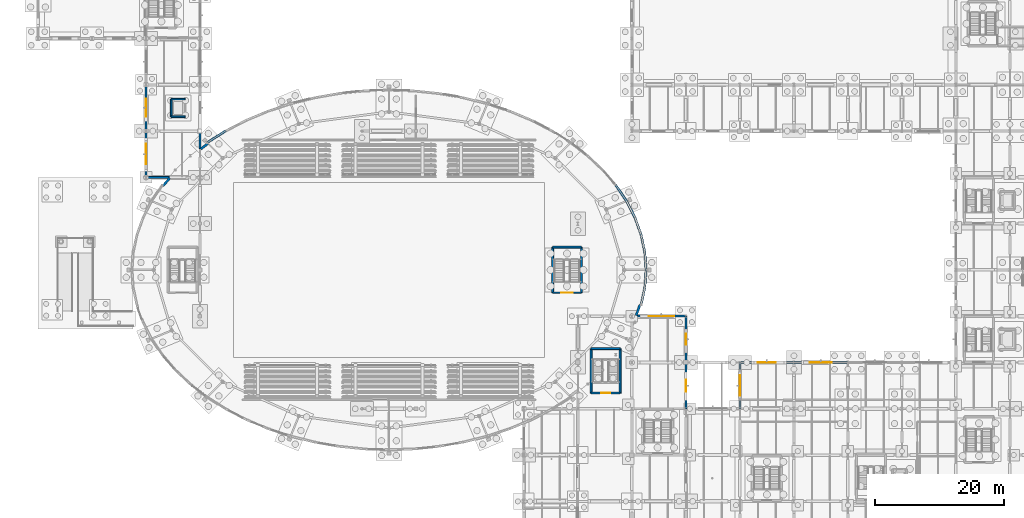
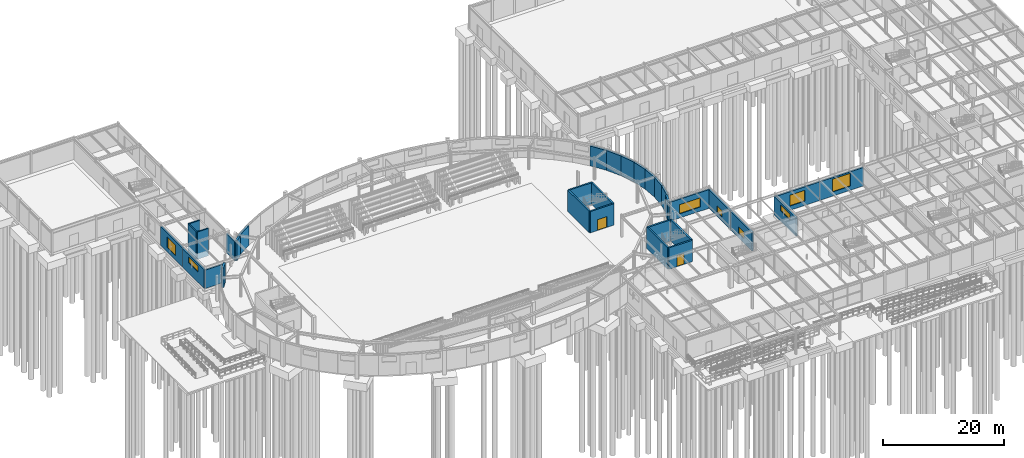
# One storey, part 59 of 93: 32 walls, 8 windows, 2 doors, 10 openings.
"""IFC4 building model written with IfcOpenShell, lengths in metres."""

from ifc_helpers import new_model, si_unit, derived_unit, direction, frame, frame_2d, origin, place, context, subcontext, project, spatial, rectangle, extrude, material, layer, layer_set, type_object, element, fill, save


model = new_model("IFC4")

# Units and contexts
model_context = context("Model", 3, precision=1e-05, world=origin(), true_north=direction((0.0, 1.0)))
body_context = subcontext(model_context, "Body", "Model", "MODEL_VIEW")
ifc_project = project(units=[si_unit("LENGTHUNIT", "METRE"), si_unit("AREAUNIT", "SQUARE_METRE"), si_unit("VOLUMEUNIT", "CUBIC_METRE"), si_unit("PLANEANGLEUNIT", "RADIAN"), si_unit("MASSUNIT", "GRAM", prefix="KILO"), derived_unit("THERMALTRANSMITTANCEUNIT", [(si_unit("MASSUNIT", "GRAM", prefix="KILO"), 1), (si_unit("TIMEUNIT", "SECOND"), -3), (si_unit("THERMODYNAMICTEMPERATUREUNIT", "KELVIN"), -1)])], contexts=[model_context])

# Site, building, storey
site_placement = place(None, origin())
site = spatial("IfcSite", under=ifc_project, at=site_placement, CompositionType="ELEMENT")
building_placement = place(site_placement, origin())
building = spatial("IfcBuilding", under=site, at=building_placement, Name="Kharveza Railside Sports Centre", CompositionType="ELEMENT")
storey_placement = place(building_placement, origin())
storey = spatial("IfcBuildingStorey", under=building, at=storey_placement, Name="L00", CompositionType="ELEMENT", Elevation=0.0)

# Walls
ifc_material_1 = material(Name="Concrete C35/45", Category="concrete")
ifc_layer_1 = layer(ifc_material_1, 0.25, Name="Concrete C35/45")
ifc_layer_set_1 = layer_set([ifc_layer_1], Name="Concrete C35/45")
wall_type_1 = type_object("IfcWallType", Name="WL-CR250", PredefinedType="SHEAR", material=ifc_layer_set_1)
for number, where, z_axis, x_axis, name in (
    (1, (20.72509765625, 74.22509765625, -1.199951171875), (0.0, 0.0, 1.0), (1.0, 0.0, 0.0), "WL-LFSH-LF4-L00-S"),
    (2, (22.875, 76.97509765625, -1.199951171875), (0.0, 0.0, 1.0), (-1.0, 0.0, 0.0), "WL-LFSH-LF4-L00-N"),
):
    element("IfcWall", number, at=place(storey_placement, frame(where, z_axis=z_axis, x_axis=x_axis)), inside=storey, type_object=wall_type_1, Name=name, PredefinedType="SHEAR", context=body_context, shape_type="SweptSolid", body=[
        extrude(rectangle(XDim=2.14990234375, YDim=0.25, at=frame_2d((1.074951171875, 0.0))), origin(), (0.0, 0.0, 1.0), 5.52001953125),
    ])
wall_1_placement = place(storey_placement, frame((20.72509765625, 76.97509765625, -1.199951171875), z_axis=(0.0, 0.0, 1.0), x_axis=(0.0, -1.0, 0.0)))
element("IfcWall", 3, at=wall_1_placement, inside=storey, type_object=wall_type_1, Name="WL-LFSH-LF4-L00-W", PredefinedType="SHEAR", context=body_context, shape_type="SweptSolid", body=[
    extrude(rectangle(XDim=2.75, YDim=0.25, at=frame_2d((1.375, 0.0))), origin(), (0.0, 0.0, 1.0), 5.52001953125),
])

# Wall, opening, door
ifc_layer_2 = layer(ifc_material_1, 0.300048828125, Name="Concrete C35/45")
ifc_layer_set_2 = layer_set([ifc_layer_2], Name="Concrete C35/45")
wall_type_2 = type_object("IfcWallType", Name="WL-CR300", PredefinedType="SHEAR", material=ifc_layer_set_2)
wall_2_placement = place(storey_placement, frame((80.050048828125, 46.85009765625, 0.0), z_axis=(0.0, 0.0, 1.0), x_axis=(1.0, 0.0, 0.0)))
wall_2 = element("IfcWall", 4, at=wall_2_placement, inside=storey, type_object=wall_type_2, Name="WL-CORE-ST8-L00-S", PredefinedType="SHEAR", context=body_context, shape_type="SweptSolid", body=[
    extrude(rectangle(XDim=4.5, YDim=0.300048828125, at=frame_2d((2.25, 0.0))), origin(), (0.0, 0.0, 1.0), 4.320068359375),
])
opening_1_placement = place(wall_2_placement, frame((1.35009765625, 0.0, 0.0)))
opening_1 = element("IfcOpeningElement", 5, at=opening_1_placement, cuts=wall_2, Name="Opening D08", PredefinedType="OPENING", context=body_context, shape_type="SweptSolid", body=[
    extrude(rectangle(XDim=1.800048828125, YDim=2.199951171875, at=frame_2d((0.89990234375, 1.10009765625))), frame((0.0, 0.1748046875, 0.0), z_axis=(0.0, -1.0, 0.0), x_axis=(1.0, 0.0, 0.0)), (0.0, 0.0, 1.0), 0.349853515625),
])
ifc_material_2 = material(Name="Fire-rated hardwood door leaf", Category="wood")
door_type_1 = type_object("IfcDoorType", Name="DR-ST01", OperationType="NOTDEFINED", PredefinedType="DOOR", material=ifc_material_2)
door_1_placement = place(opening_1_placement, frame((1.800048828125, 0.0, 0.0), z_axis=(0.0, 0.0, 1.0), x_axis=(-1.0, 0.0, 0.0)))
door_1 = element("IfcDoor", 6, at=door_1_placement, inside=storey, type_object=door_type_1, Name="DR-ST-ST8-L00", OperationType="DOUBLE_DOOR_SINGLE_SWING", OverallHeight=2.199951171875, OverallWidth=1.800048828125, PredefinedType="DOOR", context=body_context, shape_type="SweptSolid", body=[
    extrude(rectangle(XDim=1.800048828125, YDim=2.199951171875, at=frame_2d((0.89990234375, 1.10009765625))), frame((0.0, 0.02490234375, 0.0), z_axis=(0.0, -1.0, 0.0), x_axis=(1.0, 0.0, 0.0)), (0.0, 0.0, 1.0), 0.050048828125),
])
fill(opening_1, door_1)

# Walls
wall_3_placement = place(storey_placement, frame((84.550048828125, 46.85009765625, 0.0), z_axis=(0.0, 0.0, 1.0), x_axis=(0.0, 1.0, 0.0)))
element("IfcWall", 7, at=wall_3_placement, inside=storey, type_object=wall_type_2, Name="WL-CORE-ST8-L00-E", PredefinedType="SHEAR", context=body_context, shape_type="SweptSolid", body=[
    extrude(rectangle(XDim=7.099853515625, YDim=0.300048828125, at=frame_2d((3.5498046875, 0.0))), origin(), (0.0, 0.0, 1.0), 4.320068359375),
])
wall_4_placement = place(storey_placement, frame((84.550048828125, 53.949951171875, 0.0), z_axis=(0.0, 0.0, 1.0), x_axis=(-1.0, 0.0, 0.0)))
element("IfcWall", 8, at=wall_4_placement, inside=storey, type_object=wall_type_2, Name="WL-CORE-ST8-L00-N", PredefinedType="SHEAR", context=body_context, shape_type="SweptSolid", body=[
    extrude(rectangle(XDim=4.5, YDim=0.300048828125, at=frame_2d((2.25, 0.0))), origin(), (0.0, 0.0, 1.0), 4.320068359375),
])
wall_5_placement = place(storey_placement, frame((80.050048828125, 53.949951171875, 0.0), z_axis=(0.0, 0.0, 1.0), x_axis=(0.0, -1.0, 0.0)))
element("IfcWall", 9, at=wall_5_placement, inside=storey, type_object=wall_type_2, Name="WL-CORE-ST8-L00-W", PredefinedType="SHEAR", context=body_context, shape_type="SweptSolid", body=[
    extrude(rectangle(XDim=7.099853515625, YDim=0.300048828125, at=frame_2d((3.5498046875, 0.0))), origin(), (0.0, 0.0, 1.0), 4.320068359375),
])

# Wall, opening, door
wall_6_placement = place(storey_placement, frame((86.050048828125, 31.25, 0.0), z_axis=(0.0, 0.0, 1.0), x_axis=(1.0, 0.0, 0.0)))
wall_6 = element("IfcWall", 10, at=wall_6_placement, inside=storey, type_object=wall_type_2, Name="WL-CORE-ST9-L00-S", PredefinedType="SHEAR", context=body_context, shape_type="SweptSolid", body=[
    extrude(rectangle(XDim=4.5, YDim=0.300048828125, at=frame_2d((2.25, 0.0))), origin(), (0.0, 0.0, 1.0), 4.320068359375),
])
opening_2_placement = place(wall_6_placement, frame((1.550048828125, 0.0, 0.0)))
opening_2 = element("IfcOpeningElement", 11, at=opening_2_placement, cuts=wall_6, Name="Opening D09", PredefinedType="OPENING", context=body_context, shape_type="SweptSolid", body=[
    extrude(rectangle(XDim=1.39990234375, YDim=2.199951171875, at=frame_2d((0.699951171875, 1.10009765625))), frame((0.0, 0.1748046875, 0.0), z_axis=(0.0, -1.0, 0.0), x_axis=(1.0, 0.0, 0.0)), (0.0, 0.0, 1.0), 0.349853515625),
])
door_type_2 = type_object("IfcDoorType", Name="DR-ST02", OperationType="NOTDEFINED", PredefinedType="DOOR", material=ifc_material_2)
door_2_placement = place(opening_2_placement, frame((1.39990234375, 0.0, 0.0), z_axis=(0.0, 0.0, 1.0), x_axis=(-1.0, 0.0, 0.0)))
door_2 = element("IfcDoor", 12, at=door_2_placement, inside=storey, type_object=door_type_2, Name="DR-ST-ST9-L00", OperationType="SINGLE_SWING_RIGHT", OverallHeight=2.199951171875, OverallWidth=1.39990234375, PredefinedType="DOOR", context=body_context, shape_type="SweptSolid", body=[
    extrude(rectangle(XDim=1.39990234375, YDim=2.199951171875, at=frame_2d((0.699951171875, 1.10009765625))), frame((0.0, 0.02490234375, 0.0), z_axis=(0.0, -1.0, 0.0), x_axis=(1.0, 0.0, 0.0)), (0.0, 0.0, 1.0), 0.050048828125),
])
fill(opening_2, door_2)

# Walls
wall_7_placement = place(storey_placement, frame((90.550048828125, 31.25, 0.0), z_axis=(0.0, 0.0, 1.0), x_axis=(0.0, 1.0, 0.0)))
element("IfcWall", 13, at=wall_7_placement, inside=storey, type_object=wall_type_2, Name="WL-CORE-ST9-L00-E", PredefinedType="SHEAR", context=body_context, shape_type="SweptSolid", body=[
    extrude(rectangle(XDim=6.89990234375, YDim=0.300048828125, at=frame_2d((3.449951171875, 0.0))), origin(), (0.0, 0.0, 1.0), 4.320068359375),
])
wall_8_placement = place(storey_placement, frame((90.550048828125, 38.14990234375, 0.0), z_axis=(0.0, 0.0, 1.0), x_axis=(-1.0, 0.0, 0.0)))
element("IfcWall", 14, at=wall_8_placement, inside=storey, type_object=wall_type_2, Name="WL-CORE-ST9-L00-N", PredefinedType="SHEAR", context=body_context, shape_type="SweptSolid", body=[
    extrude(rectangle(XDim=4.5, YDim=0.300048828125, at=frame_2d((2.25, 0.0))), origin(), (0.0, 0.0, 1.0), 4.320068359375),
])
wall_9_placement = place(storey_placement, frame((86.050048828125, 38.14990234375, 0.0), z_axis=(0.0, 0.0, 1.0), x_axis=(0.0, -1.0, 0.0)))
element("IfcWall", 15, at=wall_9_placement, inside=storey, type_object=wall_type_2, Name="WL-CORE-ST9-L00-W", PredefinedType="SHEAR", context=body_context, shape_type="SweptSolid", body=[
    extrude(rectangle(XDim=6.89990234375, YDim=0.300048828125, at=frame_2d((3.449951171875, 0.0))), origin(), (0.0, 0.0, 1.0), 4.320068359375),
])
ifc_material_3 = material(Name="Precast concrete C40/50", Category="concrete")
ifc_layer_3 = layer(ifc_material_3, 0.360107421875, Name="Precast concrete C40/50")
ifc_layer_set_3 = layer_set([ifc_layer_3], Name="Precast concrete C40/50")
wall_type_3 = type_object("IfcWallType", Name="WL-DR360", PredefinedType="STANDARD", material=ifc_layer_set_3)
wall_10_placement = place(storey_placement, frame((94.60009765625, 50.39990234375, 0.0), z_axis=(0.0, 0.0, 1.0), x_axis=(-0.070011027008, 0.997546217524, 0.0)))
element("IfcWall", 16, at=wall_10_placement, inside=storey, type_object=wall_type_3, Name="WL-DRUM-L00-01", PredefinedType="STANDARD", context=body_context, shape_type="SweptSolid", body=[
    extrude(rectangle(XDim=2.75146484375, YDim=0.360107421875, at=frame_2d((1.375732421875, 0.0))), origin(), (0.0, 0.0, 1.0), 4.010009765625),
])
wall_11_placement = place(storey_placement, frame((94.407470703125, 53.14453125, 0.0), z_axis=(0.0, 0.0, 1.0), x_axis=(-0.207374254009, 0.978261682156, 0.0)))
element("IfcWall", 17, at=wall_11_placement, inside=storey, type_object=wall_type_3, Name="WL-DRUM-L00-02", PredefinedType="STANDARD", context=body_context, shape_type="SweptSolid", body=[
    extrude(rectangle(XDim=2.7783203125, YDim=0.360107421875, at=frame_2d((1.38916015625, 0.0))), origin(), (0.0, 0.0, 1.0), 4.010009765625),
])
wall_12_placement = place(storey_placement, frame((93.831298828125, 55.862548828125, 0.0), z_axis=(0.0, 0.0, 1.0), x_axis=(-0.336849879302, 0.941558367184, 0.0)))
element("IfcWall", 18, at=wall_12_placement, inside=storey, type_object=wall_type_3, Name="WL-DRUM-L00-03", PredefinedType="STANDARD", context=body_context, shape_type="SweptSolid", body=[
    extrude(rectangle(XDim=2.8310546875, YDim=0.360107421875, at=frame_2d((1.41552734375, 0.0))), origin(), (0.0, 0.0, 1.0), 4.010009765625),
])
wall_13_placement = place(storey_placement, frame((92.877685546875, 58.528076171875, 0.0), z_axis=(0.0, 0.0, 1.0), x_axis=(-0.455161394879, 0.890408953578, 0.0)))
element("IfcWall", 19, at=wall_13_placement, inside=storey, type_object=wall_type_3, Name="WL-DRUM-L00-04", PredefinedType="STANDARD", context=body_context, shape_type="SweptSolid", body=[
    extrude(rectangle(XDim=2.905517578125, YDim=0.360107421875, at=frame_2d((1.45263671875, 0.0))), origin(), (0.0, 0.0, 1.0), 4.010009765625),
])
wall_14_placement = place(storey_placement, frame((91.55517578125, 61.115234375, 0.0), z_axis=(0.0, 0.0, 1.0), x_axis=(-0.559839276391, 0.828601221705, 0.0)))
element("IfcWall", 20, at=wall_14_placement, inside=storey, type_object=wall_type_3, Name="WL-DRUM-L00-05", PredefinedType="STANDARD", context=body_context, shape_type="SweptSolid", body=[
    extrude(rectangle(XDim=2.997802734375, YDim=0.360107421875, at=frame_2d((1.4990234375, 0.0))), origin(), (0.0, 0.0, 1.0), 4.010009765625),
])
wall_15_placement = place(storey_placement, frame((29.224365234375, 72.044189453125, 0.0), z_axis=(0.0, 0.0, 1.0), x_axis=(-0.844419437711, -0.535682567586, 0.0)))
element("IfcWall", 21, at=wall_15_placement, inside=storey, type_object=wall_type_3, Name="WL-DRUM-L00-24", PredefinedType="STANDARD", context=body_context, shape_type="SweptSolid", body=[
    extrude(rectangle(XDim=3.444580078125, YDim=0.360107421875, at=frame_2d((1.72216796875, 0.0))), origin(), (0.0, 0.0, 1.0), 4.010009765625),
])
wall_16_placement = place(storey_placement, frame((26.42578125, 70.056396484375, 0.0), z_axis=(0.0, 0.0, 1.0), x_axis=(-0.791483020517, -0.611191155231, 0.0)))
element("IfcWall", 22, at=wall_16_placement, inside=storey, type_object=wall_type_3, Name="WL-DRUM-JCT-L00-25-1", PredefinedType="STANDARD", context=body_context, shape_type="SweptSolid", body=[
    extrude(rectangle(XDim=1.40966796875, YDim=0.360107421875, at=frame_2d((0.704833984375, 0.0))), origin(), (0.0, 0.0, 1.0), 4.010009765625),
])
wall_17_placement = place(storey_placement, frame((20.494140625, 64.68994140625, 0.0), z_axis=(0.0, 0.0, 1.0), x_axis=(-0.650336097108, -0.759646602571, 0.0)))
element("IfcWall", 23, at=wall_17_placement, inside=storey, type_object=wall_type_3, Name="WL-DRUM-JCT-L00-27-1", PredefinedType="STANDARD", context=body_context, shape_type="SweptSolid", body=[
    extrude(rectangle(XDim=1.59033203125, YDim=0.360107421875, at=frame_2d((0.795166015625, 0.0))), origin(), (0.0, 0.0, 1.0), 4.010009765625),
])
wall_18_placement = place(storey_placement, frame((93.057861328125, 43.31005859375, 0.0), z_axis=(0.0, 0.0, 1.0), x_axis=(0.336905697371, 0.941538395966, 0.0)))
element("IfcWall", 24, at=wall_18_placement, inside=storey, type_object=wall_type_3, Name="WL-DRUM-JCT-L00-62-1", PredefinedType="STANDARD", context=body_context, shape_type="SweptSolid", body=[
    extrude(rectangle(XDim=1.792724609375, YDim=0.360107421875, at=frame_2d((0.896484375, 0.0))), origin(), (0.0, 0.0, 1.0), 4.010009765625),
])
wall_19_placement = place(storey_placement, frame((93.831298828125, 44.9375, 0.0), z_axis=(0.0, 0.0, 1.0), x_axis=(0.207374254009, 0.978261682156, 0.0)))
element("IfcWall", 25, at=wall_19_placement, inside=storey, type_object=wall_type_3, Name="WL-DRUM-L00-63", PredefinedType="STANDARD", context=body_context, shape_type="SweptSolid", body=[
    extrude(rectangle(XDim=2.7783203125, YDim=0.360107421875, at=frame_2d((1.38916015625, 0.0))), origin(), (0.0, 0.0, 1.0), 4.010009765625),
])
wall_20_placement = place(storey_placement, frame((94.407470703125, 47.655517578125, 0.0), z_axis=(0.0, 0.0, 1.0), x_axis=(0.070017224661, 0.997545782534, 0.0)))
element("IfcWall", 26, at=wall_20_placement, inside=storey, type_object=wall_type_3, Name="WL-DRUM-L00-64", PredefinedType="STANDARD", context=body_context, shape_type="SweptSolid", body=[
    extrude(rectangle(XDim=2.751220703125, YDim=0.360107421875, at=frame_2d((1.37548828125, 0.0))), origin(), (0.0, 0.0, 1.0), 4.010009765625),
])

# Wall, opening, window
ifc_material_4 = material(Name="Acoustic mineral-wool metal cladding panel")
ifc_layer_4 = layer(ifc_material_4, 0.2900390625, Name="Acoustic mineral-wool metal cladding panel")
ifc_layer_set_4 = layer_set([ifc_layer_4], Name="Acoustic mineral-wool metal cladding panel")
wall_type_4 = type_object("IfcWallType", Name="WL-EX290", PredefinedType="STANDARD", material=ifc_layer_set_4)
wall_21_placement = place(storey_placement, frame((16.800048828125, 79.199951171875, 0.0), z_axis=(0.0, 0.0, 1.0), x_axis=(0.0, -1.0, 0.0)))
wall_21 = element("IfcWall", 27, at=wall_21_placement, inside=storey, type_object=wall_type_4, Name="WL-EXT-L00-065", PredefinedType="STANDARD", context=body_context, shape_type="SweptSolid", body=[
    extrude(rectangle(XDim=7.199951171875, YDim=0.2900390625, at=frame_2d((3.60009765625, 0.0))), origin(), (0.0, 0.0, 1.0), 3.804931640625),
])
opening_3_placement = place(wall_21_placement, frame((2.199951171875, 0.0, 0.85009765625)))
opening_3 = element("IfcOpeningElement", 28, at=opening_3_placement, cuts=wall_21, Name="Opening WN12", PredefinedType="OPENING", context=body_context, shape_type="SweptSolid", body=[
    extrude(rectangle(XDim=2.800048828125, YDim=2.199951171875, at=frame_2d((1.39990234375, 1.10009765625))), frame((0.0, 0.169921875, 0.0), z_axis=(0.0, -1.0, 0.0), x_axis=(1.0, 0.0, 0.0)), (0.0, 0.0, 1.0), 0.33984375),
])
ifc_material_5 = material(Name="Low-E solar-control laminated glass", Category="glass")
window_type_1 = type_object("IfcWindowType", Name="WN-F12", PartitioningType="SINGLE_PANEL", PredefinedType="WINDOW", material=ifc_material_5)
window_1_placement = place(opening_3_placement, origin())
window_1 = element("IfcWindow", 29, at=window_1_placement, inside=storey, type_object=window_type_1, Name="WN-EXT-L00-018", OverallHeight=2.199951171875, OverallWidth=2.800048828125, PartitioningType="SINGLE_PANEL", PredefinedType="WINDOW", context=body_context, shape_type="SweptSolid", body=[
    extrude(rectangle(XDim=2.800048828125, YDim=2.199951171875, at=frame_2d((1.39990234375, 1.10009765625))), frame((0.0, 0.030029296875, 0.0), z_axis=(0.0, -1.0, 0.0), x_axis=(1.0, 0.0, 0.0)), (0.0, 0.0, 1.0), 0.06005859375),
])
fill(opening_3, window_1)

wall_22_placement = place(storey_placement, frame((16.800048828125, 72.0, 0.0), z_axis=(0.0, 0.0, 1.0), x_axis=(0.0, -1.0, 0.0)))
wall_22 = element("IfcWall", 30, at=wall_22_placement, inside=storey, type_object=wall_type_4, Name="WL-EXT-L00-066", PredefinedType="STANDARD", context=body_context, shape_type="SweptSolid", body=[
    extrude(rectangle(XDim=7.199951171875, YDim=0.2900390625, at=frame_2d((3.60009765625, 0.0))), origin(), (0.0, 0.0, 1.0), 3.7548828125),
])
opening_4_placement = place(wall_22_placement, frame((2.0, 0.0, 2.10009765625)))
opening_4 = element("IfcOpeningElement", 31, at=opening_4_placement, cuts=wall_22, Name="Opening WN08", PredefinedType="OPENING", context=body_context, shape_type="SweptSolid", body=[
    extrude(rectangle(XDim=3.199951171875, YDim=1.199951171875, at=frame_2d((1.60009765625, 0.60009765625))), frame((0.0, 0.169921875, 0.0), z_axis=(0.0, -1.0, 0.0), x_axis=(1.0, 0.0, 0.0)), (0.0, 0.0, 1.0), 0.33984375),
])
window_type_2 = type_object("IfcWindowType", Name="WN-F08", PartitioningType="SINGLE_PANEL", PredefinedType="WINDOW", material=ifc_material_5)
window_2_placement = place(opening_4_placement, origin())
window_2 = element("IfcWindow", 32, at=window_2_placement, inside=storey, type_object=window_type_2, Name="WN-EXT-L00-019", OverallHeight=1.199951171875, OverallWidth=3.199951171875, PartitioningType="SINGLE_PANEL", PredefinedType="WINDOW", context=body_context, shape_type="SweptSolid", body=[
    extrude(rectangle(XDim=3.199951171875, YDim=1.199951171875, at=frame_2d((1.60009765625, 0.60009765625))), frame((0.0, 0.030029296875, 0.0), z_axis=(0.0, -1.0, 0.0), x_axis=(1.0, 0.0, 0.0)), (0.0, 0.0, 1.0), 0.06005859375),
])
fill(opening_4, window_2)

# Walls
wall_23_placement = place(storey_placement, frame((16.800048828125, 64.800048828125, 0.0), z_axis=(0.0, 0.0, 1.0), x_axis=(1.0, 0.0, 0.0)))
element("IfcWall", 33, at=wall_23_placement, inside=storey, type_object=wall_type_4, Name="WL-EXT-L00-067", PredefinedType="STANDARD", context=body_context, shape_type="SweptSolid", body=[
    extrude(rectangle(XDim=3.6162109375, YDim=0.2900390625, at=frame_2d((1.80810546875, 0.0))), origin(), (0.0, 0.0, 1.0), 3.7548828125),
])
wall_24_placement = place(storey_placement, frame((25.199951171875, 69.275146484375, 0.0), z_axis=(0.0, 0.0, 1.0), x_axis=(0.0, 1.0, 0.0)))
element("IfcWall", 34, at=wall_24_placement, inside=storey, type_object=wall_type_4, Name="WL-EXT-L00-068", PredefinedType="STANDARD", context=body_context, shape_type="SweptSolid", body=[
    extrude(rectangle(XDim=2.724853515625, YDim=0.2900390625, at=frame_2d((1.3623046875, 0.0))), origin(), (0.0, 0.0, 1.0), 3.804931640625),
])

# Wall, opening, window
ifc_layer_5 = layer(ifc_material_3, 0.320068359375, Name="Precast concrete C40/50")
ifc_layer_set_5 = layer_set([ifc_layer_5], Name="Precast concrete C40/50")
wall_type_5 = type_object("IfcWallType", Name="WL-EX320", PredefinedType="STANDARD", material=ifc_layer_set_5)
wall_25_placement = place(storey_placement, frame((126.0, 36.0, 0.0), z_axis=(0.0, 0.0, 1.0), x_axis=(-1.0, 0.0, 0.0)))
wall_25 = element("IfcWall", 35, at=wall_25_placement, inside=storey, type_object=wall_type_5, Name="WL-EXT-L00-056", PredefinedType="STANDARD", context=body_context, shape_type="SweptSolid", body=[
    extrude(rectangle(XDim=8.39990234375, YDim=0.320068359375, at=frame_2d((4.199951171875, 0.0))), origin(), (0.0, 0.0, 1.0), 3.7548828125),
])
opening_5_placement = place(wall_25_placement, frame((2.5, 0.0, 0.85009765625)))
opening_5 = element("IfcOpeningElement", 36, at=opening_5_placement, cuts=wall_25, Name="Opening WN13", PredefinedType="OPENING", context=body_context, shape_type="SweptSolid", body=[
    extrude(rectangle(XDim=3.39990234375, YDim=2.60009765625, at=frame_2d((1.699951171875, 1.300048828125))), frame((0.0, 0.18505859375, 0.0), z_axis=(0.0, -1.0, 0.0), x_axis=(1.0, 0.0, 0.0)), (0.0, 0.0, 1.0), 0.369873046875),
])
window_type_3 = type_object("IfcWindowType", Name="WN-F13", PartitioningType="SINGLE_PANEL", PredefinedType="WINDOW", material=ifc_material_5)
window_3_placement = place(opening_5_placement, origin())
window_3 = element("IfcWindow", 37, at=window_3_placement, inside=storey, type_object=window_type_3, Name="WN-EXT-L00-010", OverallHeight=2.60009765625, OverallWidth=3.39990234375, PartitioningType="SINGLE_PANEL", PredefinedType="WINDOW", context=body_context, shape_type="SweptSolid", body=[
    extrude(rectangle(XDim=3.39990234375, YDim=2.60009765625, at=frame_2d((1.699951171875, 1.300048828125))), frame((0.0, 0.030029296875, 0.0), z_axis=(0.0, -1.0, 0.0), x_axis=(1.0, 0.0, 0.0)), (0.0, 0.0, 1.0), 0.06005859375),
])
fill(opening_5, window_3)

wall_26_placement = place(storey_placement, frame((117.60009765625, 36.0, 0.0), z_axis=(0.0, 0.0, 1.0), x_axis=(-1.0, 0.0, 0.0)))
wall_26 = element("IfcWall", 38, at=wall_26_placement, inside=storey, type_object=wall_type_5, Name="WL-EXT-L00-057", PredefinedType="STANDARD", context=body_context, shape_type="SweptSolid", body=[
    extrude(rectangle(XDim=8.400146484375, YDim=0.320068359375, at=frame_2d((4.2001953125, 0.0))), origin(), (0.0, 0.0, 1.0), 3.7548828125),
])
opening_6_placement = place(wall_26_placement, frame((2.800048828125, 0.0, 0.85009765625)))
opening_6 = element("IfcOpeningElement", 39, at=opening_6_placement, cuts=wall_26, Name="Opening WN12", PredefinedType="OPENING", context=body_context, shape_type="SweptSolid", body=[
    extrude(rectangle(XDim=2.800048828125, YDim=2.199951171875, at=frame_2d((1.39990234375, 1.10009765625))), frame((0.0, 0.18505859375, 0.0), z_axis=(0.0, -1.0, 0.0), x_axis=(1.0, 0.0, 0.0)), (0.0, 0.0, 1.0), 0.369873046875),
])
window_4_placement = place(opening_6_placement, origin())
window_4 = element("IfcWindow", 40, at=window_4_placement, inside=storey, type_object=window_type_1, Name="WN-EXT-L00-011", OverallHeight=2.199951171875, OverallWidth=2.800048828125, PartitioningType="SINGLE_PANEL", PredefinedType="WINDOW", context=body_context, shape_type="SweptSolid", body=[
    extrude(rectangle(XDim=2.800048828125, YDim=2.199951171875, at=frame_2d((1.39990234375, 1.10009765625))), frame((0.0, 0.030029296875, 0.0), z_axis=(0.0, -1.0, 0.0), x_axis=(1.0, 0.0, 0.0)), (0.0, 0.0, 1.0), 0.06005859375),
])
fill(opening_6, window_4)

wall_27_placement = place(storey_placement, frame((109.199951171875, 36.0, 0.0), z_axis=(0.0, 0.0, 1.0), x_axis=(0.0, -1.0, 0.0)))
wall_27 = element("IfcWall", 41, at=wall_27_placement, inside=storey, type_object=wall_type_5, Name="WL-EXT-L00-058", PredefinedType="STANDARD", context=body_context, shape_type="SweptSolid", body=[
    extrude(rectangle(XDim=7.199951171875, YDim=0.320068359375, at=frame_2d((3.60009765625, 0.0))), origin(), (0.0, 0.0, 1.0), 3.705078125),
])
opening_7_placement = place(wall_27_placement, frame((2.0, 0.0, 2.10009765625)))
opening_7 = element("IfcOpeningElement", 42, at=opening_7_placement, cuts=wall_27, Name="Opening WN08", PredefinedType="OPENING", context=body_context, shape_type="SweptSolid", body=[
    extrude(rectangle(XDim=3.199951171875, YDim=1.199951171875, at=frame_2d((1.60009765625, 0.60009765625))), frame((0.0, 0.18505859375, 0.0), z_axis=(0.0, -1.0, 0.0), x_axis=(1.0, 0.0, 0.0)), (0.0, 0.0, 1.0), 0.369873046875),
])
window_5_placement = place(opening_7_placement, origin())
window_5 = element("IfcWindow", 43, at=window_5_placement, inside=storey, type_object=window_type_2, Name="WN-EXT-L00-012", OverallHeight=1.199951171875, OverallWidth=3.199951171875, PartitioningType="SINGLE_PANEL", PredefinedType="WINDOW", context=body_context, shape_type="SweptSolid", body=[
    extrude(rectangle(XDim=3.199951171875, YDim=1.199951171875, at=frame_2d((1.60009765625, 0.60009765625))), frame((0.0, 0.030029296875, 0.0), z_axis=(0.0, -1.0, 0.0), x_axis=(1.0, 0.0, 0.0)), (0.0, 0.0, 1.0), 0.06005859375),
])
fill(opening_7, window_5)

wall_28_placement = place(storey_placement, frame((100.800048828125, 28.800048828125, 0.0), z_axis=(0.0, 0.0, 1.0), x_axis=(0.0, 1.0, 0.0)))
wall_28 = element("IfcWall", 44, at=wall_28_placement, inside=storey, type_object=wall_type_5, Name="WL-EXT-L00-060", PredefinedType="STANDARD", context=body_context, shape_type="SweptSolid", body=[
    extrude(rectangle(XDim=7.199951171875, YDim=0.320068359375, at=frame_2d((3.60009765625, 0.0))), origin(), (0.0, 0.0, 1.0), 3.705078125),
])
opening_8_placement = place(wall_28_placement, frame((2.64990234375, 0.0, 0.85009765625)))
opening_8 = element("IfcOpeningElement", 45, at=opening_8_placement, cuts=wall_28, Name="Opening WN24", PredefinedType="OPENING", context=body_context, shape_type="SweptSolid", body=[
    extrude(rectangle(XDim=1.89990234375, YDim=1.35009765625, at=frame_2d((0.949951171875, 0.675048828125))), frame((0.0, 0.18505859375, 0.0), z_axis=(0.0, -1.0, 0.0), x_axis=(1.0, 0.0, 0.0)), (0.0, 0.0, 1.0), 0.369873046875),
])
window_type_4 = type_object("IfcWindowType", Name="WN-Z08", PartitioningType="SINGLE_PANEL", PredefinedType="WINDOW", material=ifc_material_5)
window_6_placement = place(opening_8_placement, origin())
window_6 = element("IfcWindow", 46, at=window_6_placement, inside=storey, type_object=window_type_4, Name="WN-EXT-L00-014", OverallHeight=1.35009765625, OverallWidth=1.89990234375, PartitioningType="SINGLE_PANEL", PredefinedType="WINDOW", context=body_context, shape_type="SweptSolid", body=[
    extrude(rectangle(XDim=1.89990234375, YDim=1.35009765625, at=frame_2d((0.949951171875, 0.675048828125))), frame((0.0, 0.030029296875, 0.0), z_axis=(0.0, -1.0, 0.0), x_axis=(1.0, 0.0, 0.0)), (0.0, 0.0, 1.0), 0.06005859375),
])
fill(opening_8, window_6)

wall_29_placement = place(storey_placement, frame((100.800048828125, 36.0, 0.0), z_axis=(0.0, 0.0, 1.0), x_axis=(0.0, 1.0, 0.0)))
wall_29 = element("IfcWall", 47, at=wall_29_placement, inside=storey, type_object=wall_type_5, Name="WL-EXT-L00-061", PredefinedType="STANDARD", context=body_context, shape_type="SweptSolid", body=[
    extrude(rectangle(XDim=7.199951171875, YDim=0.320068359375, at=frame_2d((3.60009765625, 0.0))), origin(), (0.0, 0.0, 1.0), 3.7548828125),
])
opening_9_placement = place(wall_29_placement, frame((2.75, 0.0, 0.85009765625)))
opening_9 = element("IfcOpeningElement", 48, at=opening_9_placement, cuts=wall_29, Name="Opening WN25", PredefinedType="OPENING", context=body_context, shape_type="SweptSolid", body=[
    extrude(rectangle(XDim=1.699951171875, YDim=1.25, at=frame_2d((0.85009765625, 0.625))), frame((0.0, 0.18505859375, 0.0), z_axis=(0.0, -1.0, 0.0), x_axis=(1.0, 0.0, 0.0)), (0.0, 0.0, 1.0), 0.369873046875),
])
window_type_5 = type_object("IfcWindowType", Name="WN-Z09", PartitioningType="SINGLE_PANEL", PredefinedType="WINDOW", material=ifc_material_5)
window_7_placement = place(opening_9_placement, origin())
window_7 = element("IfcWindow", 49, at=window_7_placement, inside=storey, type_object=window_type_5, Name="WN-EXT-L00-015", OverallHeight=1.25, OverallWidth=1.699951171875, PartitioningType="SINGLE_PANEL", PredefinedType="WINDOW", context=body_context, shape_type="SweptSolid", body=[
    extrude(rectangle(XDim=1.699951171875, YDim=1.25, at=frame_2d((0.85009765625, 0.625))), frame((0.0, 0.030029296875, 0.0), z_axis=(0.0, -1.0, 0.0), x_axis=(1.0, 0.0, 0.0)), (0.0, 0.0, 1.0), 0.06005859375),
])
fill(opening_9, window_7)

wall_30_placement = place(storey_placement, frame((100.800048828125, 43.199951171875, 0.0), z_axis=(0.0, 0.0, 1.0), x_axis=(-1.0, 0.0, 0.0)))
wall_30 = element("IfcWall", 50, at=wall_30_placement, inside=storey, type_object=wall_type_5, Name="WL-EXT-L00-062", PredefinedType="STANDARD", context=body_context, shape_type="SweptSolid", body=[
    extrude(rectangle(XDim=7.643310546875, YDim=0.320068359375, at=frame_2d((3.82177734375, 0.0))), origin(), (0.0, 0.0, 1.0), 3.804931640625),
])
opening_10_placement = place(wall_30_placement, frame((1.821533203125, 0.0, 0.85009765625)))
opening_10 = element("IfcOpeningElement", 51, at=opening_10_placement, cuts=wall_30, Name="Opening WN27", PredefinedType="OPENING", context=body_context, shape_type="SweptSolid", body=[
    extrude(rectangle(XDim=4.0, YDim=1.85009765625, at=frame_2d((2.0, 0.925048828125))), frame((0.0, 0.18505859375, 0.0), z_axis=(0.0, -1.0, 0.0), x_axis=(1.0, 0.0, 0.0)), (0.0, 0.0, 1.0), 0.369873046875),
])
window_type_6 = type_object("IfcWindowType", Name="WN-Z11", PartitioningType="SINGLE_PANEL", PredefinedType="WINDOW", material=ifc_material_5)
window_8_placement = place(opening_10_placement, origin())
window_8 = element("IfcWindow", 52, at=window_8_placement, inside=storey, type_object=window_type_6, Name="WN-EXT-L00-016", OverallHeight=1.85009765625, OverallWidth=4.0, PartitioningType="SINGLE_PANEL", PredefinedType="WINDOW", context=body_context, shape_type="SweptSolid", body=[
    extrude(rectangle(XDim=4.0, YDim=1.85009765625, at=frame_2d((2.0, 0.925048828125))), frame((0.0, 0.030029296875, 0.0), z_axis=(0.0, -1.0, 0.0), x_axis=(1.0, 0.0, 0.0)), (0.0, 0.0, 1.0), 0.06005859375),
])
fill(opening_10, window_8)

save(model, "model.ifc")
